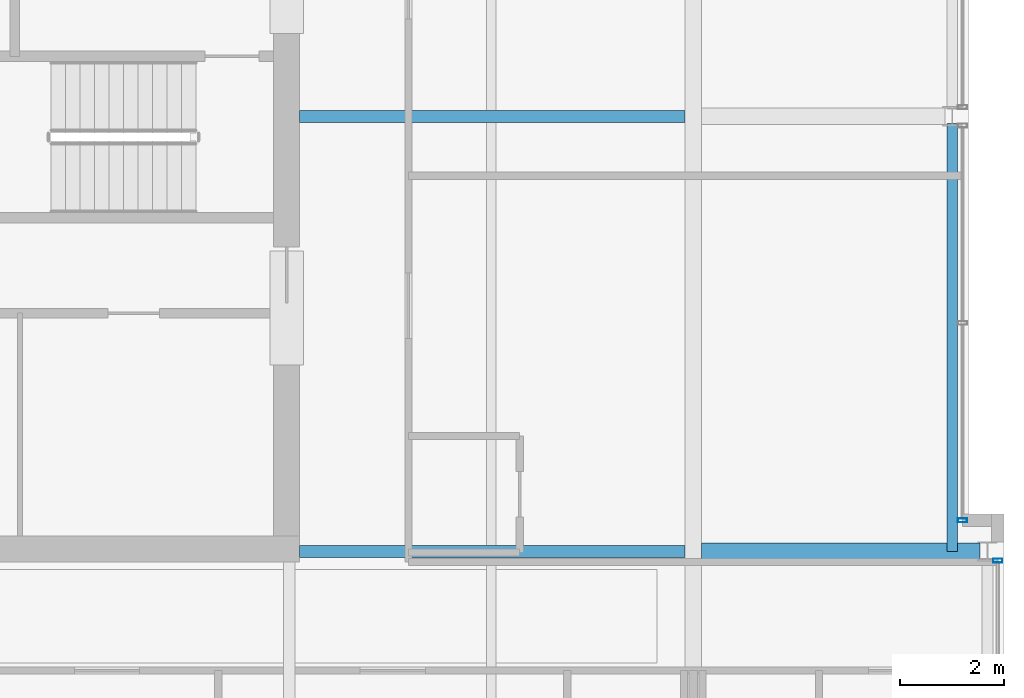
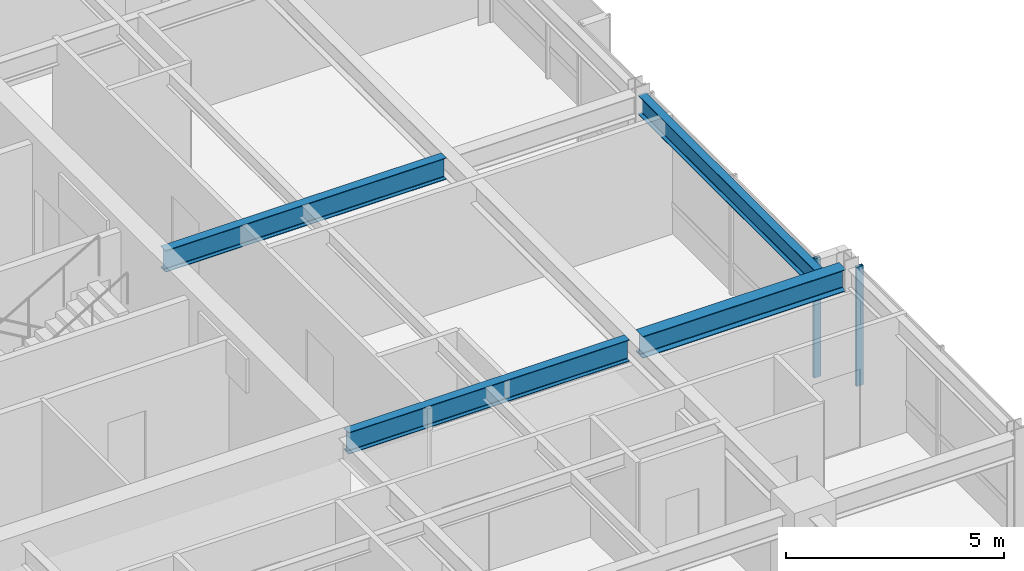
# One storey, part 14 of 31: 4 beams, 2 members, 2 elements without a shape of their own.
"""IFC4 building model written with IfcOpenShell, lengths in metres."""

from ifc_helpers import new_model, si_unit, direction, frame, origin, origin_2d, place, context, subcontext, project, spatial, hollow_rectangle, i_section, extrude, material, layer, layer_set, material_profile, profile_set, type_object, element, aggregate, save


model = new_model("IFC4")

# Units and contexts
model_context = context("Model", 3, precision=1e-05, world=origin(), true_north=direction((0.0, 1.0)))
body_context = subcontext(model_context, "Body", "Model", "MODEL_VIEW")
ifc_project = project(units=[si_unit("LENGTHUNIT", "METRE"), si_unit("AREAUNIT", "SQUARE_METRE"), si_unit("VOLUMEUNIT", "CUBIC_METRE"), si_unit("PLANEANGLEUNIT", "RADIAN"), si_unit("MASSUNIT", "GRAM", prefix="KILO")], contexts=[model_context])

# Site, building, storey
site_placement = place(None, origin())
site = spatial("IfcSite", under=ifc_project, at=site_placement, CompositionType="ELEMENT")
building_placement = place(site_placement, origin())
building = spatial("IfcBuilding", under=site, at=building_placement, Name="Drelvath Grand Hotel", CompositionType="ELEMENT")
storey_placement = place(building_placement, frame((0.0, 0.0, 244.699951171875)))
storey = spatial("IfcBuildingStorey", under=building, at=storey_placement, Name="L64", CompositionType="ELEMENT", Elevation=244.699951171875)

# Curtain wall, member
ifc_material_1 = material(Name="Platinum-Mist Anodised Aluminium Frame", Category="aluminium")
ifc_layer = layer(ifc_material_1, 0.199951171875)
ifc_layer_set = layer_set([ifc_layer], Name="Platinum-Mist Anodised Aluminium Frame")
curtain_wall_type = type_object("IfcCurtainWallType", Name="Stick Curtain Wall CW-05 Platinum Mist High-Rise", PredefinedType="NOTDEFINED", material=ifc_layer_set)
curtain_wall_1_placement = place(storey_placement, origin())
curtain_wall_1 = element("IfcCurtainWall", 1, at=curtain_wall_1_placement, inside=storey, type_object=curtain_wall_type, Name="L64 CW-05 Curtain Wall CW05-L64-EM1", PredefinedType="NOTDEFINED")
ifc_material_profile_1 = material_profile(ifc_material_1, hollow_rectangle(XDim=0.074951171875, YDim=0.179931640625, WallThickness=0.0048828125, at=origin_2d()), Name="HSS180X75X5")
ifc_profile_set_1 = profile_set([ifc_material_profile_1], Name="Platinum-Mist Anodised Aluminium Frame")
member_type = type_object("IfcMemberType", Name="Curtain Wall Vertical Mullion CW-05 HSS180X75X5", PredefinedType="MULLION", material=ifc_profile_set_1)
member_1_placement = place(storey_placement, frame((21.39990234375, 19.199951171875, 0.0), z_axis=(0.0, 0.0, 1.0), x_axis=(0.0, 1.0, 0.0)))
member_1 = element("IfcMember", 2, at=member_1_placement, type_object=member_type, Name="CW05-L64-EM1 Mullion 3", PredefinedType="MULLION", context=body_context, shape_type="SweptSolid", body=[
    extrude(hollow_rectangle(XDim=0.074951171875, YDim=0.179931640625, WallThickness=0.0048828125, at=origin_2d()), origin(), (0.0, 0.0, 1.0), 3.340087890625),
])
aggregate(curtain_wall_1, [member_1])

curtain_wall_2_placement = place(storey_placement, origin())
curtain_wall_2 = element("IfcCurtainWall", 3, at=curtain_wall_2_placement, inside=storey, type_object=curtain_wall_type, Name="L64 CW-05 Curtain Wall CW05-L64-ES2", PredefinedType="NOTDEFINED")
member_2_placement = place(storey_placement, frame((22.080078125, 18.421875, 0.0), z_axis=(0.0, 0.0, 1.0), x_axis=(0.0, 1.0, 0.0)))
member_2 = element("IfcMember", 4, at=member_2_placement, type_object=member_type, Name="CW05-L64-ES2 Mullion 1", PredefinedType="MULLION", context=body_context, shape_type="SweptSolid", body=[
    extrude(hollow_rectangle(XDim=0.074951171875, YDim=0.179931640625, WallThickness=0.0048828125, at=origin_2d()), origin(), (0.0, 0.0, 1.0), 3.340087890625),
])
aggregate(curtain_wall_2, [member_2])

# Beams
ifc_material_2 = material(Name="Steel ASTM A992 Gr 50", Category="steel")
ifc_material_profile_2 = material_profile(ifc_material_2, i_section(OverallWidth=0.210205078125, OverallDepth=0.53662109375, WebThickness=0.010986328125, FlangeThickness=0.017333984375, FilletRadius=0.01806640625, at=origin_2d()), Name="W21X68")
ifc_profile_set_2 = profile_set([ifc_material_profile_2], Name="Steel ASTM A992 Gr 50")
beam_type_1 = type_object("IfcBeamType", Name="Perimeter Spandrel Beam W21X68", PredefinedType="SPANDREL", material=ifc_profile_set_2)
beam_1_placement = place(storey_placement, frame((21.199951171875, 18.60009765625, 3.071533203125), z_axis=(0.0, 1.0, 0.0), x_axis=(-1.0, 0.0, 0.0)))
element("IfcBeam", 5, at=beam_1_placement, inside=storey, type_object=beam_type_1, Name="L64 Spandrel East Mid S", PredefinedType="SPANDREL", context=body_context, shape_type="SweptSolid", body=[
    extrude(i_section(OverallWidth=0.210205078125, OverallDepth=0.53662109375, WebThickness=0.010986328125, FlangeThickness=0.017333984375, FilletRadius=0.01806640625, at=origin_2d()), origin(), (0.0, 0.0, 1.0), 8.260009765625),
])
ifc_material_profile_3 = material_profile(ifc_material_2, i_section(OverallWidth=0.323974609375, OverallDepth=0.611083984375, WebThickness=0.0126953125, FlangeThickness=0.01904296875, FilletRadius=0.02197265625, at=origin_2d()), Name="W24X104")
ifc_profile_set_3 = profile_set([ifc_material_profile_3], Name="Steel ASTM A992 Gr 50")
beam_type_2 = type_object("IfcBeamType", Name="Primary Floor Girder W24X104", PredefinedType="BEAM", material=ifc_profile_set_3)
beam_2_placement = place(storey_placement, frame((16.362060546875, 18.60009765625, 3.034423828125), z_axis=(1.0, 0.0, 0.0), x_axis=(0.0, 1.0, 0.0)))
element("IfcBeam", 6, at=beam_2_placement, inside=storey, type_object=beam_type_2, Name="L64 East Wing Girder D", PredefinedType="BEAM", context=body_context, shape_type="SweptSolid", body=[
    extrude(i_section(OverallWidth=0.323974609375, OverallDepth=0.611083984375, WebThickness=0.0126953125, FlangeThickness=0.01904296875, FilletRadius=0.02197265625, at=origin_2d()), origin(), (0.0, 0.0, 1.0), 5.3779296875),
])
ifc_material_profile_4 = material_profile(ifc_material_2, i_section(OverallWidth=0.228271484375, OverallDepth=0.607666015625, WebThickness=0.01123046875, FlangeThickness=0.017333984375, FilletRadius=0.02001953125, at=origin_2d()), Name="W24X76")
ifc_profile_set_4 = profile_set([ifc_material_profile_4], Name="Steel ASTM A992 Gr 50")
beam_type_3 = type_object("IfcBeamType", Name="Primary Floor Girder W24X76", PredefinedType="BEAM", material=ifc_profile_set_4)
for number, where, z_axis, x_axis, name in (
    (7, (8.60009765625, 18.60009765625, 3.0361328125), (1.0, 0.0, 0.0), (0.0, 1.0, 0.0), "L64 East Core Tie D"),
    (8, (8.60009765625, 27.0, 3.0361328125), (1.0, 0.0, 0.0), (0.0, 1.0, 0.0), "L64 East Core Tie E"),
):
    element("IfcBeam", number, at=place(storey_placement, frame(where, z_axis=z_axis, x_axis=x_axis)), inside=storey, type_object=beam_type_3, Name=name, PredefinedType="BEAM", context=body_context, shape_type="SweptSolid", body=[
        extrude(i_section(OverallWidth=0.228271484375, OverallDepth=0.607666015625, WebThickness=0.01123046875, FlangeThickness=0.017333984375, FilletRadius=0.02001953125, at=origin_2d()), origin(), (0.0, 0.0, 1.0), 7.43798828125),
    ])

save(model, "model.ifc")
